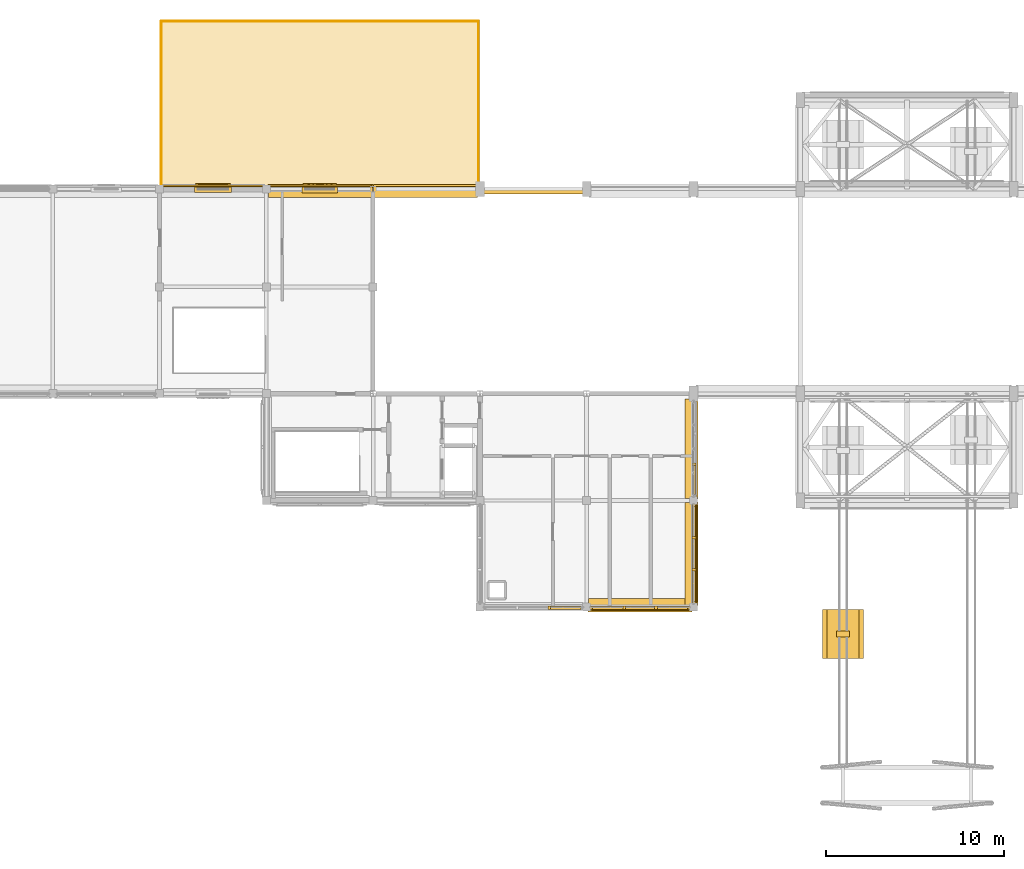
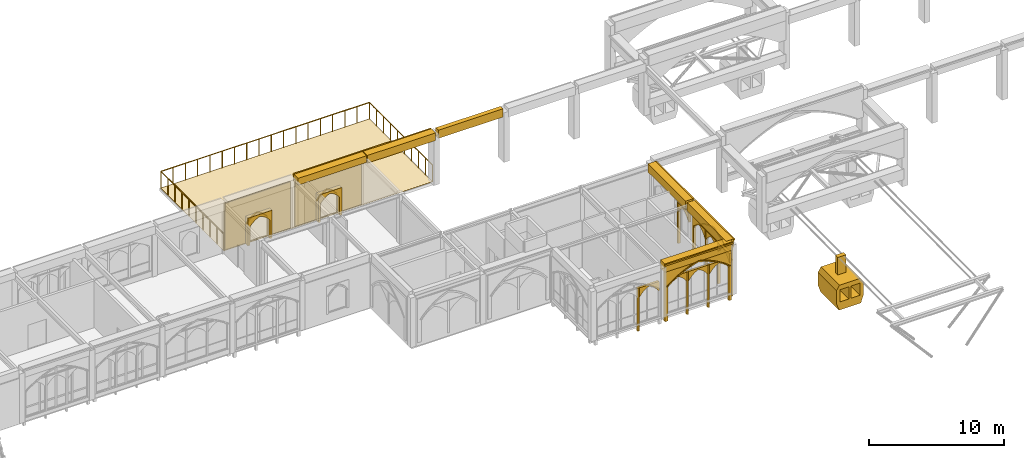
# One storey, part 53 of 59: 38 coverings, 3 railings.
"""IFC4 building model written with IfcOpenShell, lengths in metres."""

from ifc_helpers import new_model, si_unit, direction, frame, origin, origin_2d, place, context, subcontext, project, spatial, polyline, rectangle, circle, outline, extrude, material, type_object, element, save


model = new_model("IFC4")

# Units and contexts
model_context = context("Model", 3, precision=1e-05, world=origin(), true_north=direction((0.0, 1.0)))
body_context = subcontext(model_context, "Body", "Model", "MODEL_VIEW")
ifc_project = project(units=[si_unit("LENGTHUNIT", "METRE"), si_unit("AREAUNIT", "SQUARE_METRE"), si_unit("VOLUMEUNIT", "CUBIC_METRE"), si_unit("PLANEANGLEUNIT", "RADIAN"), si_unit("MASSUNIT", "GRAM", prefix="KILO")], contexts=[model_context])

# Site, building, storey
site_placement = place(None, origin())
site = spatial("IfcSite", under=ifc_project, at=site_placement, CompositionType="ELEMENT")
building_placement = place(site_placement, origin())
building = spatial("IfcBuilding", under=site, at=building_placement, Name="Cumevento Cable Car Station", CompositionType="ELEMENT")
storey_placement = place(building_placement, frame((0.0, 0.0, 18.0)))
storey = spatial("IfcBuildingStorey", under=building, at=storey_placement, Name="L05", CompositionType="ELEMENT", Elevation=18.0)

# Railings
ifc_material_1 = material(Name="Painted Galvanised Architectural Steel", Category="steel")
railing_type = type_object("IfcRailingType", Name="Terrace Guardrail GR-T155 1550", PredefinedType="GUARDRAIL", material=ifc_material_1)
railing_placement = place(storey_placement, frame((52.080078125, 65.919921875, 0.0)))
element("IfcRailing", 1, at=railing_placement, inside=storey, type_object=railing_type, Name="Panoramic Terrace Guardrail GR-T155 #4", PredefinedType="GUARDRAIL", context=body_context, shape_type="SweptSolid", body=[
    extrude(circle(Radius=0.02685546875, at=origin_2d()), frame((0.0, 0.0, 1.52294921875), z_axis=(1.0, 0.0, 0.0), x_axis=(0.0, 1.0, 0.0)), (0.0, 0.0, 1.0), 17.83984375),
    extrude(circle(Radius=0.02099609375, at=origin_2d()), origin(), (0.0, 0.0, 1.0), 1.49609375),
    extrude(circle(Radius=0.02099609375, at=origin_2d()), frame((1.04931640625, 0.0, 0.0)), (0.0, 0.0, 1.0), 1.49609375),
    extrude(circle(Radius=0.02099609375, at=origin_2d()), frame((2.098876953125, 0.0, 0.0)), (0.0, 0.0, 1.0), 1.49609375),
    extrude(circle(Radius=0.02099609375, at=origin_2d()), frame((3.148193359375, 0.0, 0.0)), (0.0, 0.0, 1.0), 1.49609375),
    extrude(circle(Radius=0.02099609375, at=origin_2d()), frame((4.197509765625, 0.0, 0.0)), (0.0, 0.0, 1.0), 1.49609375),
    extrude(circle(Radius=0.02099609375, at=origin_2d()), frame((5.2470703125, 0.0, 0.0)), (0.0, 0.0, 1.0), 1.49609375),
    extrude(circle(Radius=0.02099609375, at=origin_2d()), frame((6.29638671875, 0.0, 0.0)), (0.0, 0.0, 1.0), 1.49609375),
    extrude(circle(Radius=0.02099609375, at=origin_2d()), frame((7.345703125, 0.0, 0.0)), (0.0, 0.0, 1.0), 1.49609375),
    extrude(circle(Radius=0.02099609375, at=origin_2d()), frame((8.395263671875, 0.0, 0.0)), (0.0, 0.0, 1.0), 1.49609375),
    extrude(circle(Radius=0.02099609375, at=origin_2d()), frame((9.444580078125, 0.0, 0.0)), (0.0, 0.0, 1.0), 1.49609375),
    extrude(circle(Radius=0.02099609375, at=origin_2d()), frame((10.494140625, 0.0, 0.0)), (0.0, 0.0, 1.0), 1.49609375),
    extrude(circle(Radius=0.02099609375, at=origin_2d()), frame((11.54345703125, 0.0, 0.0)), (0.0, 0.0, 1.0), 1.49609375),
    extrude(circle(Radius=0.02099609375, at=origin_2d()), frame((12.5927734375, 0.0, 0.0)), (0.0, 0.0, 1.0), 1.49609375),
    extrude(circle(Radius=0.02099609375, at=origin_2d()), frame((13.642333984375, 0.0, 0.0)), (0.0, 0.0, 1.0), 1.49609375),
    extrude(circle(Radius=0.02099609375, at=origin_2d()), frame((14.691650390625, 0.0, 0.0)), (0.0, 0.0, 1.0), 1.49609375),
    extrude(circle(Radius=0.02099609375, at=origin_2d()), frame((15.740966796875, 0.0, 0.0)), (0.0, 0.0, 1.0), 1.49609375),
    extrude(circle(Radius=0.02099609375, at=origin_2d()), frame((16.79052734375, 0.0, 0.0)), (0.0, 0.0, 1.0), 1.49609375),
    extrude(circle(Radius=0.02099609375, at=origin_2d()), frame((17.83984375, 0.0, 0.0)), (0.0, 0.0, 1.0), 1.49609375),
])
for number, where, name in (
    (2, (69.919921875, 56.580078125, 0.0), "Panoramic Terrace Guardrail GR-T155 #5"),
    (3, (52.080078125, 56.580078125, 0.0), "Panoramic Terrace Guardrail GR-T155 #6"),
):
    element("IfcRailing", number, at=place(storey_placement, frame(where)), inside=storey, type_object=railing_type, Name=name, PredefinedType="GUARDRAIL", context=body_context, shape_type="SweptSolid", body=[
        extrude(circle(Radius=0.02685546875, at=origin_2d()), frame((0.0, 0.0, 1.52294921875), z_axis=(0.0, 1.0, 0.0), x_axis=(-1.0, 0.0, 0.0)), (0.0, 0.0, 1.0), 9.33984375),
        extrude(circle(Radius=0.02099609375, at=origin_2d()), origin(), (0.0, 0.0, 1.0), 1.49609375),
        extrude(circle(Radius=0.02099609375, at=origin_2d()), frame((0.0, 1.037841796875, 0.0)), (0.0, 0.0, 1.0), 1.49609375),
        extrude(circle(Radius=0.02099609375, at=origin_2d()), frame((0.0, 2.075439453125, 0.0)), (0.0, 0.0, 1.0), 1.49609375),
        extrude(circle(Radius=0.02099609375, at=origin_2d()), frame((0.0, 3.11328125, 0.0)), (0.0, 0.0, 1.0), 1.49609375),
        extrude(circle(Radius=0.02099609375, at=origin_2d()), frame((0.0, 4.151123046875, 0.0)), (0.0, 0.0, 1.0), 1.49609375),
        extrude(circle(Radius=0.02099609375, at=origin_2d()), frame((0.0, 5.188720703125, 0.0)), (0.0, 0.0, 1.0), 1.49609375),
        extrude(circle(Radius=0.02099609375, at=origin_2d()), frame((0.0, 6.2265625, 0.0)), (0.0, 0.0, 1.0), 1.49609375),
        extrude(circle(Radius=0.02099609375, at=origin_2d()), frame((0.0, 7.264404296875, 0.0)), (0.0, 0.0, 1.0), 1.49609375),
        extrude(circle(Radius=0.02099609375, at=origin_2d()), frame((0.0, 8.302001953125, 0.0)), (0.0, 0.0, 1.0), 1.49609375),
        extrude(circle(Radius=0.02099609375, at=origin_2d()), frame((0.0, 9.33984375, 0.0)), (0.0, 0.0, 1.0), 1.49609375),
    ])

# Coverings
ifc_material_2 = material(Name="Gnaisse Facoidal Stone Ashlar 85 MPa", Category="masonry")
covering_type = type_object("IfcCoveringType", Name="Gnaisse Ashlar Cladding CV-CL01", PredefinedType="CLADDING", material=ifc_material_2)
covering_1_placement = place(storey_placement, frame((79.0, 33.14990234375, 4.032958984375), z_axis=(0.0, 0.0, 1.0), x_axis=(-1.0, 0.0, 0.0)))
element("IfcCovering", 4, at=covering_1_placement, inside=storey, type_object=covering_type, Name="Gothic Stone Spandrel Stringcourse sc:0782", PredefinedType="CLADDING", context=body_context, shape_type="SweptSolid", body=[
    extrude(rectangle(XDim=5.7900390625, YDim=0.659912109375, at=origin_2d()), origin(), (0.0, 0.0, 1.0), 0.7470703125),
])
covering_2_placement = place(storey_placement, frame((79.0, 32.79248046875, 4.650146484375), z_axis=(0.0, 0.0, 1.0), x_axis=(-1.0, 0.0, 0.0)))
element("IfcCovering", 5, at=covering_2_placement, inside=storey, type_object=covering_type, Name="Gothic Cornice Dripstone Lip sc:0782", PredefinedType="CLADDING", context=body_context, shape_type="SweptSolid", body=[
    extrude(rectangle(XDim=5.830078125, YDim=0.114990234375, at=origin_2d()), origin(), (0.0, 0.0, 1.0), 0.1298828125),
])
covering_3_placement = place(storey_placement, frame((81.85009765625, 36.0, 4.032958984375), z_axis=(0.0, 0.0, 1.0), x_axis=(0.0, -1.0, 0.0)))
element("IfcCovering", 6, at=covering_3_placement, inside=storey, type_object=covering_type, Name="Gothic Stone Spandrel Stringcourse sc:0784", PredefinedType="CLADDING", context=body_context, shape_type="SweptSolid", body=[
    extrude(rectangle(XDim=5.7900390625, YDim=0.659912109375, at=origin_2d()), origin(), (0.0, 0.0, 1.0), 0.7470703125),
])
covering_4_placement = place(storey_placement, frame((82.20751953125, 36.0, 4.650146484375), z_axis=(0.0, 0.0, 1.0), x_axis=(0.0, -1.0, 0.0)))
element("IfcCovering", 7, at=covering_4_placement, inside=storey, type_object=covering_type, Name="Gothic Cornice Dripstone Lip sc:0784", PredefinedType="CLADDING", context=body_context, shape_type="SweptSolid", body=[
    extrude(rectangle(XDim=5.830078125, YDim=0.114990234375, at=origin_2d()), origin(), (0.0, 0.0, 1.0), 0.1298828125),
])
covering_5_placement = place(storey_placement, frame((81.85009765625, 41.89990234375, 4.032958984375), z_axis=(0.0, 0.0, 1.0), x_axis=(0.0, -1.0, 0.0)))
element("IfcCovering", 8, at=covering_5_placement, inside=storey, type_object=covering_type, Name="Gothic Stone Spandrel Stringcourse sc:0785", PredefinedType="CLADDING", context=body_context, shape_type="SweptSolid", body=[
    extrude(rectangle(XDim=5.590087890625, YDim=0.659912109375, at=origin_2d()), origin(), (0.0, 0.0, 1.0), 0.7470703125),
])
covering_6_placement = place(storey_placement, frame((82.20751953125, 41.89990234375, 4.650146484375), z_axis=(0.0, 0.0, 1.0), x_axis=(0.0, -1.0, 0.0)))
element("IfcCovering", 9, at=covering_6_placement, inside=storey, type_object=covering_type, Name="Gothic Cornice Dripstone Lip sc:0785", PredefinedType="CLADDING", context=body_context, shape_type="SweptSolid", body=[
    extrude(rectangle(XDim=5.6298828125, YDim=0.114990234375, at=origin_2d()), origin(), (0.0, 0.0, 1.0), 0.1298828125),
])
covering_7_placement = place(storey_placement, frame((61.0361328125, 56.35009765625, 4.174072265625), z_axis=(0.0, 0.0, 1.0), x_axis=(1.0, 0.0, 0.0)))
element("IfcCovering", 10, at=covering_7_placement, inside=storey, type_object=covering_type, Name="Gothic Stone Spandrel Stringcourse sc:0810", PredefinedType="CLADDING", context=body_context, shape_type="SweptSolid", body=[
    extrude(rectangle(XDim=5.862548828125, YDim=0.659912109375, at=origin_2d()), origin(), (0.0, 0.0, 1.0), 0.60595703125),
])
covering_8_placement = place(storey_placement, frame((61.0361328125, 56.70751953125, 4.650146484375), z_axis=(0.0, 0.0, 1.0), x_axis=(1.0, 0.0, 0.0)))
element("IfcCovering", 11, at=covering_8_placement, inside=storey, type_object=covering_type, Name="Gothic Cornice Dripstone Lip sc:0810", PredefinedType="CLADDING", context=body_context, shape_type="SweptSolid", body=[
    extrude(rectangle(XDim=5.902587890625, YDim=0.114990234375, at=origin_2d()), origin(), (0.0, 0.0, 1.0), 0.1298828125),
])
covering_9_placement = place(storey_placement, frame((66.951171875, 56.351318359375, 4.0859375), z_axis=(0.0, 0.0, 1.0), x_axis=(1.0, 0.0, 0.0)))
element("IfcCovering", 12, at=covering_9_placement, inside=storey, type_object=covering_type, Name="Gothic Stone Spandrel Stringcourse sc:0812", PredefinedType="CLADDING", context=body_context, shape_type="SweptSolid", body=[
    extrude(rectangle(XDim=5.83740234375, YDim=0.66259765625, at=origin_2d()), origin(), (0.0, 0.0, 1.0), 0.694091796875),
])
covering_10_placement = place(storey_placement, frame((66.951171875, 56.7099609375, 4.650146484375), z_axis=(0.0, 0.0, 1.0), x_axis=(1.0, 0.0, 0.0)))
element("IfcCovering", 13, at=covering_10_placement, inside=storey, type_object=covering_type, Name="Gothic Cornice Dripstone Lip sc:0812", PredefinedType="CLADDING", context=body_context, shape_type="SweptSolid", body=[
    extrude(rectangle(XDim=5.87744140625, YDim=0.114990234375, at=origin_2d()), origin(), (0.0, 0.0, 1.0), 0.1298828125),
])
covering_11_placement = place(storey_placement, frame((73.0, 56.409912109375, 4.032958984375), z_axis=(0.0, 0.0, 1.0), x_axis=(1.0, 0.0, 0.0)))
element("IfcCovering", 14, at=covering_11_placement, inside=storey, type_object=covering_type, Name="Gothic Stone Spandrel Stringcourse sc:0813", PredefinedType="CLADDING", context=body_context, shape_type="SweptSolid", body=[
    extrude(rectangle(XDim=5.56005859375, YDim=0.3798828125, at=origin_2d()), origin(), (0.0, 0.0, 1.0), 0.7470703125),
])
covering_12_placement = place(storey_placement, frame((75.77490234375, 33.0, -0.52001953125), z_axis=(0.0, 0.0, 1.0), x_axis=(-1.0, 0.0, 0.0)))
element("IfcCovering", 15, at=covering_12_placement, inside=storey, type_object=covering_type, Name="Gothic Bifora Stone Colonnette cw_ogival:0192 #1", PredefinedType="CLADDING", context=body_context, shape_type="SweptSolid", body=[
    extrude(outline(polyline([(1.80322265625, -0.02001953125), (1.953369140625, -0.02001953125), (1.953369140625, 3.87109375), (1.80322265625, 3.87109375), (1.80322265625, -0.02001953125)])), frame((0.0, 0.1279296875, 0.0), z_axis=(0.0, -1.0, 0.0), x_axis=(1.0, 0.0, 0.0)), (0.0, 0.0, 1.0), 0.205078125),
])
covering_13_placement = place(storey_placement, frame((75.64501953125, 33.0, 2.4970703125), z_axis=(0.0, 0.0, 1.0), x_axis=(-1.0, 0.0, 0.0)))
element("IfcCovering", 16, at=covering_13_placement, inside=storey, type_object=covering_type, Name="Gothic Ogival Pointed-Arch Stone Spandrel cw_ogival:0192:sub:0", PredefinedType="CLADDING", context=body_context, shape_type="SweptSolid", body=[
    extrude(outline(polyline([(-0.02001953125, 0.0), (-0.02001953125, 0.85400390625), (1.723388671875, 0.85400390625), (1.723388671875, 0.0), (1.663330078125, 0.0), (1.565673828125, 0.157958984375), (1.45068359375, 0.303955078125), (1.320068359375, 0.436279296875), (1.175537109375, 0.552978515625), (1.018798828125, 0.652587890625), (0.8515625, 0.73388671875), (0.6845703125, 0.652587890625), (0.52783203125, 0.552978515625), (0.38330078125, 0.436279296875), (0.252685546875, 0.303955078125), (0.1376953125, 0.157958984375), (0.0400390625, 0.0), (-0.02001953125, 0.0)])), frame((0.0, 0.1240234375, 0.0), z_axis=(0.0, -1.0, 0.0), x_axis=(1.0, 0.0, 0.0)), (0.0, 0.0, 1.0), 0.199951171875),
])
placement_1 = place(storey_placement, frame((81.77490234375, 33.0, -0.469970703125), z_axis=(0.0, 0.0, 1.0), x_axis=(-1.0, 0.0, 0.0)))
element("IfcCovering", 17, at=placement_1, inside=storey, type_object=covering_type, Name="Gothic Ogival Pointed-Arch Stone Spandrel cw_ogival:0193", PredefinedType="CLADDING", context=body_context, shape_type="SweptSolid", body=[
    extrude(outline(polyline([(-0.080078125, 0.0), (-0.080078125, 4.64306640625), (5.6298828125, 4.64306640625), (5.6298828125, 0.0), (5.389892578125, 0.0), (5.389892578125, 3.1650390625), (5.095703125, 3.383056640625), (4.7900390625, 3.58544921875), (4.474609375, 3.771728515625), (4.149658203125, 3.941162109375), (3.816162109375, 4.093505859375), (3.475341796875, 4.22802734375), (3.128173828125, 4.3447265625), (2.77490234375, 4.44287109375), (2.421875, 4.3447265625), (2.07470703125, 4.22802734375), (1.73388671875, 4.093505859375), (1.400390625, 3.941162109375), (1.075439453125, 3.771728515625), (0.760009765625, 3.58544921875), (0.454345703125, 3.383056640625), (0.159912109375, 3.1650390625), (0.159912109375, 0.0), (-0.080078125, 0.0)])), frame((0.0, 0.139892578125, 0.0), z_axis=(0.0, -1.0, 0.0), x_axis=(1.0, 0.0, 0.0)), (0.0, 0.0, 1.0), 0.219970703125),
])
covering_15_placement = place(storey_placement, frame((81.77490234375, 33.0, 2.695068359375), z_axis=(0.0, 0.0, 1.0), x_axis=(-1.0, 0.0, 0.0)))
element("IfcCovering", 18, at=covering_15_placement, inside=storey, type_object=covering_type, Name="Gothic Pointed Archivolt Hood Moulding cw_ogival:0193", PredefinedType="CLADDING", context=body_context, shape_type="SweptSolid", body=[
    extrude(outline(polyline([(0.159912109375, 0.0), (0.454345703125, 0.218017578125), (0.760009765625, 0.42041015625), (1.075439453125, 0.606689453125), (1.400390625, 0.776123046875), (1.73388671875, 0.928466796875), (2.07470703125, 1.06298828125), (2.421875, 1.1796875), (2.77490234375, 1.27783203125), (3.128173828125, 1.1796875), (3.475341796875, 1.06298828125), (3.816162109375, 0.928466796875), (4.149658203125, 0.776123046875), (4.474609375, 0.606689453125), (4.7900390625, 0.42041015625), (5.095703125, 0.218017578125), (5.389892578125, 0.0), (5.5, 0.0), (5.197265625, 0.24072265625), (4.881591796875, 0.464599609375), (4.55419921875, 0.670654296875), (4.2158203125, 0.8583984375), (3.86767578125, 1.02734375), (3.5107421875, 1.1767578125), (3.146240234375, 1.30615234375), (2.77490234375, 1.415283203125), (2.40380859375, 1.30615234375), (2.039306640625, 1.1767578125), (1.682373046875, 1.02734375), (1.334228515625, 0.8583984375), (0.995849609375, 0.670654296875), (0.66845703125, 0.464599609375), (0.352783203125, 0.24072265625), (0.050048828125, 0.0), (0.159912109375, 0.0)])), frame((0.0, 0.181884765625, 0.0), z_axis=(0.0, -1.0, 0.0), x_axis=(1.0, 0.0, 0.0)), (0.0, 0.0, 1.0), 0.06689453125),
])
element("IfcCovering", 19, at=placement_1, inside=storey, type_object=covering_type, Name="Gothic Bifora Stone Colonnette cw_ogival:0193 #1", PredefinedType="CLADDING", context=body_context, shape_type="SweptSolid", body=[
    extrude(outline(polyline([(1.80322265625, -0.02001953125), (1.953369140625, -0.02001953125), (1.953369140625, 3.82958984375), (1.80322265625, 3.82958984375), (1.80322265625, -0.02001953125)])), frame((0.0, 0.1279296875, 0.0), z_axis=(0.0, -1.0, 0.0), x_axis=(1.0, 0.0, 0.0)), (0.0, 0.0, 1.0), 0.205078125),
])
element("IfcCovering", 20, at=placement_1, inside=storey, type_object=covering_type, Name="Gothic Bifora Stone Colonnette cw_ogival:0193 #2", PredefinedType="CLADDING", context=body_context, shape_type="SweptSolid", body=[
    extrude(outline(polyline([(3.5966796875, -0.02001953125), (3.74658203125, -0.02001953125), (3.74658203125, 3.82958984375), (3.5966796875, 3.82958984375), (3.5966796875, -0.02001953125)])), frame((0.0, 0.1279296875, 0.0), z_axis=(0.0, -1.0, 0.0), x_axis=(1.0, 0.0, 0.0)), (0.0, 0.0, 1.0), 0.205078125),
])
for number, where, z_axis, x_axis, name in (
    (21, (81.64501953125, 33.0, 2.51513671875), (0.0, 0.0, 1.0), (-1.0, 0.0, 0.0), "Gothic Ogival Pointed-Arch Stone Spandrel cw_ogival:0193:sub:0"),
    (22, (79.8515625, 33.0, 2.51513671875), (0.0, 0.0, 1.0), (-1.0, 0.0, 0.0), "Gothic Ogival Pointed-Arch Stone Spandrel cw_ogival:0193:sub:1"),
    (23, (78.058349609375, 33.0, 2.51513671875), (0.0, 0.0, 1.0), (-1.0, 0.0, 0.0), "Gothic Ogival Pointed-Arch Stone Spandrel cw_ogival:0193:sub:2"),
):
    element("IfcCovering", number, at=place(storey_placement, frame(where, z_axis=z_axis, x_axis=x_axis)), inside=storey, type_object=covering_type, Name=name, PredefinedType="CLADDING", context=body_context, shape_type="SweptSolid", body=[
        extrude(outline(polyline([(-0.02001953125, 0.0), (-0.02001953125, 0.844482421875), (1.723388671875, 0.844482421875), (1.723388671875, 0.0), (1.663330078125, 0.0), (1.56494140625, 0.15625), (1.449462890625, 0.300537109375), (1.31884765625, 0.430908203125), (1.17431640625, 0.5458984375), (1.01806640625, 0.644287109375), (0.8515625, 0.724609375), (0.685302734375, 0.644287109375), (0.529052734375, 0.5458984375), (0.384521484375, 0.430908203125), (0.25390625, 0.300537109375), (0.138427734375, 0.15625), (0.0400390625, 0.0), (-0.02001953125, 0.0)])), frame((0.0, 0.1240234375, 0.0), z_axis=(0.0, -1.0, 0.0), x_axis=(1.0, 0.0, 0.0)), (0.0, 0.0, 1.0), 0.199951171875),
    ])
placement_2 = place(storey_placement, frame((82.0, 38.77490234375, -0.3701171875), z_axis=(0.0, 0.0, 1.0), x_axis=(0.0, -1.0, 0.0)))
element("IfcCovering", 24, at=placement_2, inside=storey, type_object=covering_type, Name="Gothic Ogival Pointed-Arch Stone Spandrel cw_ogival:0195", PredefinedType="CLADDING", context=body_context, shape_type="SweptSolid", body=[
    extrude(outline(polyline([(-0.080078125, 0.0), (-0.080078125, 4.54296875), (5.6298828125, 4.54296875), (5.6298828125, 0.0), (5.389892578125, 0.0), (5.389892578125, 3.10107421875), (5.093994140625, 3.313232421875), (4.787353515625, 3.51025390625), (4.47119140625, 3.691162109375), (4.14599609375, 3.855712890625), (3.81298828125, 4.003662109375), (3.472900390625, 4.13427734375), (3.126708984375, 4.24755859375), (2.77490234375, 4.343017578125), (2.42333984375, 4.24755859375), (2.0771484375, 4.13427734375), (1.737060546875, 4.003662109375), (1.404052734375, 3.855712890625), (1.078857421875, 3.691162109375), (0.7626953125, 3.51025390625), (0.4560546875, 3.313232421875), (0.159912109375, 3.10107421875), (0.159912109375, 0.0), (-0.080078125, 0.0)])), frame((0.0, 0.139892578125, 0.0), z_axis=(0.0, -1.0, 0.0), x_axis=(1.0, 0.0, 0.0)), (0.0, 0.0, 1.0), 0.219970703125),
])
covering_19_placement = place(storey_placement, frame((82.0, 38.77490234375, 2.731201171875), z_axis=(0.0, 0.0, 1.0), x_axis=(0.0, -1.0, 0.0)))
element("IfcCovering", 25, at=covering_19_placement, inside=storey, type_object=covering_type, Name="Gothic Pointed Archivolt Hood Moulding cw_ogival:0195", PredefinedType="CLADDING", context=body_context, shape_type="SweptSolid", body=[
    extrude(outline(polyline([(0.159912109375, 0.0), (0.4560546875, 0.212158203125), (0.7626953125, 0.4091796875), (1.078857421875, 0.590087890625), (1.404052734375, 0.754638671875), (1.737060546875, 0.902587890625), (2.0771484375, 1.033203125), (2.42333984375, 1.146484375), (2.77490234375, 1.241943359375), (3.126708984375, 1.146484375), (3.472900390625, 1.033203125), (3.81298828125, 0.902587890625), (4.14599609375, 0.754638671875), (4.47119140625, 0.590087890625), (4.787353515625, 0.4091796875), (5.093994140625, 0.212158203125), (5.389892578125, 0.0), (5.5, 0.0), (5.195556640625, 0.235107421875), (4.878662109375, 0.453369140625), (4.550537109375, 0.654296875), (4.212158203125, 0.837158203125), (3.864501953125, 1.00146484375), (3.50830078125, 1.14697265625), (3.144775390625, 1.273193359375), (2.77490234375, 1.37939453125), (2.4052734375, 1.273193359375), (2.041748046875, 1.14697265625), (1.685546875, 1.00146484375), (1.337890625, 0.837158203125), (0.99951171875, 0.654296875), (0.67138671875, 0.453369140625), (0.3544921875, 0.235107421875), (0.050048828125, 0.0), (0.159912109375, 0.0)])), frame((0.0, 0.181884765625, 0.0), z_axis=(0.0, -1.0, 0.0), x_axis=(1.0, 0.0, 0.0)), (0.0, 0.0, 1.0), 0.06689453125),
])
element("IfcCovering", 26, at=placement_2, inside=storey, type_object=covering_type, Name="Gothic Bifora Stone Colonnette cw_ogival:0195 #1", PredefinedType="CLADDING", context=body_context, shape_type="SweptSolid", body=[
    extrude(outline(polyline([(1.80322265625, -0.02001953125), (1.953369140625, -0.02001953125), (1.953369140625, 3.746826171875), (1.80322265625, 3.746826171875), (1.80322265625, -0.02001953125)])), frame((0.0, 0.1279296875, 0.0), z_axis=(0.0, -1.0, 0.0), x_axis=(1.0, 0.0, 0.0)), (0.0, 0.0, 1.0), 0.205078125),
])
element("IfcCovering", 27, at=placement_2, inside=storey, type_object=covering_type, Name="Gothic Bifora Stone Colonnette cw_ogival:0195 #2", PredefinedType="CLADDING", context=body_context, shape_type="SweptSolid", body=[
    extrude(outline(polyline([(3.5966796875, -0.02001953125), (3.74658203125, -0.02001953125), (3.74658203125, 3.746826171875), (3.5966796875, 3.746826171875), (3.5966796875, -0.02001953125)])), frame((0.0, 0.1279296875, 0.0), z_axis=(0.0, -1.0, 0.0), x_axis=(1.0, 0.0, 0.0)), (0.0, 0.0, 1.0), 0.205078125),
])
for number, where, z_axis, x_axis, name in (
    (28, (82.0, 38.64501953125, 2.551025390625), (0.0, 0.0, 1.0), (0.0, -1.0, 0.0), "Gothic Ogival Pointed-Arch Stone Spandrel cw_ogival:0195:sub:0"),
    (29, (82.0, 36.8515625, 2.551025390625), (0.0, 0.0, 1.0), (0.0, -1.0, 0.0), "Gothic Ogival Pointed-Arch Stone Spandrel cw_ogival:0195:sub:1"),
    (30, (82.0, 35.058349609375, 2.551025390625), (0.0, 0.0, 1.0), (0.0, -1.0, 0.0), "Gothic Ogival Pointed-Arch Stone Spandrel cw_ogival:0195:sub:2"),
):
    element("IfcCovering", number, at=place(storey_placement, frame(where, z_axis=z_axis, x_axis=x_axis)), inside=storey, type_object=covering_type, Name=name, PredefinedType="CLADDING", context=body_context, shape_type="SweptSolid", body=[
        extrude(outline(polyline([(-0.02001953125, 0.0), (-0.02001953125, 0.82568359375), (1.723388671875, 0.82568359375), (1.723388671875, 0.0), (1.663330078125, 0.0), (1.563232421875, 0.152587890625), (1.447021484375, 0.293212890625), (1.316162109375, 0.42041015625), (1.172119140625, 0.5322265625), (1.0166015625, 0.6279296875), (0.8515625, 0.705810546875), (0.686767578125, 0.6279296875), (0.53125, 0.5322265625), (0.38720703125, 0.42041015625), (0.25634765625, 0.293212890625), (0.14013671875, 0.152587890625), (0.0400390625, 0.0), (-0.02001953125, 0.0)])), frame((0.0, 0.1240234375, 0.0), z_axis=(0.0, -1.0, 0.0), x_axis=(1.0, 0.0, 0.0)), (0.0, 0.0, 1.0), 0.199951171875),
    ])
covering_22_placement = place(storey_placement, frame((82.0, 44.574951171875, -0.320068359375), z_axis=(0.0, 0.0, 1.0), x_axis=(0.0, -1.0, 0.0)))
element("IfcCovering", 31, at=covering_22_placement, inside=storey, type_object=covering_type, Name="Gothic Bifora Stone Colonnette cw_ogival:0196 #2", PredefinedType="CLADDING", context=body_context, shape_type="SweptSolid", body=[
    extrude(outline(polyline([(3.46337890625, -0.02001953125), (3.61328125, -0.02001953125), (3.61328125, 3.70556640625), (3.46337890625, 3.70556640625), (3.46337890625, -0.02001953125)])), frame((0.0, 0.1279296875, 0.0), z_axis=(0.0, -1.0, 0.0), x_axis=(1.0, 0.0, 0.0)), (0.0, 0.0, 1.0), 0.205078125),
])
covering_23_placement = place(storey_placement, frame((82.0, 40.99169921875, 2.569091796875), z_axis=(0.0, 0.0, 1.0), x_axis=(0.0, -1.0, 0.0)))
element("IfcCovering", 32, at=covering_23_placement, inside=storey, type_object=covering_type, Name="Gothic Ogival Pointed-Arch Stone Spandrel cw_ogival:0196:sub:2", PredefinedType="CLADDING", context=body_context, shape_type="SweptSolid", body=[
    extrude(outline(polyline([(-0.02001953125, 0.0), (-0.02001953125, 0.81640625), (1.65673828125, 0.81640625), (1.65673828125, 0.0), (1.5966796875, 0.0), (1.50244140625, 0.150146484375), (1.391845703125, 0.288818359375), (1.2666015625, 0.4140625), (1.1279296875, 0.52490234375), (0.97802734375, 0.619384765625), (0.818359375, 0.6962890625), (0.65869140625, 0.619384765625), (0.5087890625, 0.52490234375), (0.3701171875, 0.4140625), (0.244873046875, 0.288818359375), (0.13427734375, 0.150146484375), (0.0400390625, 0.0), (-0.02001953125, 0.0)])), frame((0.0, 0.1240234375, 0.0), z_axis=(0.0, -1.0, 0.0), x_axis=(1.0, 0.0, 0.0)), (0.0, 0.0, 1.0), 0.199951171875),
])
covering_24_placement = place(storey_placement, frame((52.22509765625, 56.5, 0.0), z_axis=(0.0, 0.0, 1.0), x_axis=(1.0, 0.0, 0.0)))
element("IfcCovering", 33, at=covering_24_placement, inside=storey, type_object=covering_type, Name="Exterior Gnaisse Stone Wall Ashlar #308", PredefinedType="CLADDING", context=body_context, shape_type="SweptSolid", body=[
    extrude(outline(polyline([(-0.0400390625, -0.02001953125), (5.590087890625, -0.02001953125), (5.590087890625, 4.214111328125), (-0.0400390625, 4.214111328125), (-0.0400390625, -0.02001953125)]), holes=[polyline([(1.925048828125, 0.02001953125), (3.625, 0.02001953125), (3.625, 2.22998046875), (1.925048828125, 2.22998046875), (1.925048828125, 0.02001953125)])]), frame((0.0, 0.215087890625, 0.0), z_axis=(0.0, -1.0, 0.0), x_axis=(1.0, 0.0, 0.0)), (0.0, 0.0, 1.0), 0.0849609375),
])
covering_25_placement = place(storey_placement, frame((54.0, 56.5, -0.050048828125), z_axis=(0.0, 0.0, 1.0), x_axis=(1.0, 0.0, 0.0)))
element("IfcCovering", 34, at=covering_25_placement, inside=storey, type_object=covering_type, Name="Gothic Ogival Pointed-Arch Stone Spandrel op_ogival:0308:1", PredefinedType="CLADDING", context=body_context, shape_type="SweptSolid", body=[
    extrude(outline(polyline([(-0.0400390625, 0.0), (-0.0400390625, 2.510009765625), (2.0400390625, 2.510009765625), (2.0400390625, 0.0), (1.860107421875, 0.0), (1.860107421875, 1.662841796875), (1.764404296875, 1.788330078125), (1.658203125, 1.9052734375), (1.542236328125, 2.012451171875), (1.417724609375, 2.109130859375), (1.284912109375, 2.19482421875), (1.1455078125, 2.2685546875), (1.0, 2.330078125), (0.8544921875, 2.2685546875), (0.715087890625, 2.19482421875), (0.582275390625, 2.109130859375), (0.457763671875, 2.012451171875), (0.341796875, 1.9052734375), (0.235595703125, 1.788330078125), (0.139892578125, 1.662841796875), (0.139892578125, 0.0), (-0.0400390625, 0.0)])), frame((0.0, 0.2529296875, 0.0), z_axis=(0.0, -1.0, 0.0), x_axis=(1.0, 0.0, 0.0)), (0.0, 0.0, 1.0), 0.4599609375),
])
covering_26_placement = place(storey_placement, frame((54.0, 56.5, 1.61279296875), z_axis=(0.0, 0.0, 1.0), x_axis=(1.0, 0.0, 0.0)))
element("IfcCovering", 35, at=covering_26_placement, inside=storey, type_object=covering_type, Name="Gothic Pointed Archivolt Hood Moulding op_ogival:0308:1", PredefinedType="CLADDING", context=body_context, shape_type="SweptSolid", body=[
    extrude(outline(polyline([(0.139892578125, 0.0), (0.235595703125, 0.12548828125), (0.341796875, 0.242431640625), (0.457763671875, 0.349609375), (0.582275390625, 0.4462890625), (0.715087890625, 0.531982421875), (0.8544921875, 0.605712890625), (1.0, 0.667236328125), (1.1455078125, 0.605712890625), (1.284912109375, 0.531982421875), (1.417724609375, 0.4462890625), (1.542236328125, 0.349609375), (1.658203125, 0.242431640625), (1.764404296875, 0.12548828125), (1.860107421875, 0.0), (1.958984375, 0.0), (1.855712890625, 0.14794921875), (1.739501953125, 0.2861328125), (1.611083984375, 0.4130859375), (1.471923828125, 0.528076171875), (1.32275390625, 0.6298828125), (1.1650390625, 0.7177734375), (1.0, 0.791015625), (0.8349609375, 0.7177734375), (0.67724609375, 0.6298828125), (0.528076171875, 0.528076171875), (0.388916015625, 0.4130859375), (0.260498046875, 0.2861328125), (0.144287109375, 0.14794921875), (0.041015625, 0.0), (0.139892578125, 0.0)])), frame((0.0, 0.294921875, 0.0), z_axis=(0.0, -1.0, 0.0), x_axis=(1.0, 0.0, 0.0)), (0.0, 0.0, 1.0), 0.06689453125),
])
covering_27_placement = place(storey_placement, frame((58.22509765625, 56.5, 0.0), z_axis=(0.0, 0.0, 1.0), x_axis=(1.0, 0.0, 0.0)))
element("IfcCovering", 36, at=covering_27_placement, inside=storey, type_object=covering_type, Name="Exterior Gnaisse Stone Wall Ashlar #309", PredefinedType="CLADDING", context=body_context, shape_type="SweptSolid", body=[
    extrude(outline(polyline([(-0.0400390625, -0.02001953125), (5.66259765625, -0.02001953125), (5.66259765625, 4.25390625), (-0.0400390625, 4.25390625), (-0.0400390625, -0.02001953125)]), holes=[polyline([(1.965087890625, 0.02001953125), (3.5849609375, 0.02001953125), (3.5849609375, 2.2099609375), (1.965087890625, 2.2099609375), (1.965087890625, 0.02001953125)])]), frame((0.0, 0.222412109375, 0.0), z_axis=(0.0, -1.0, 0.0), x_axis=(1.0, 0.0, 0.0)), (0.0, 0.0, 1.0), 0.0849609375),
])
covering_28_placement = place(storey_placement, frame((60.0400390625, 56.5, -0.050048828125), z_axis=(0.0, 0.0, 1.0), x_axis=(1.0, 0.0, 0.0)))
element("IfcCovering", 37, at=covering_28_placement, inside=storey, type_object=covering_type, Name="Gothic Ogival Pointed-Arch Stone Spandrel op_ogival:0309:1", PredefinedType="CLADDING", context=body_context, shape_type="SweptSolid", body=[
    extrude(outline(polyline([(-0.0400390625, 0.0), (-0.0400390625, 2.489990234375), (1.9599609375, 2.489990234375), (1.9599609375, 0.0), (1.780029296875, 0.0), (1.780029296875, 1.6484375), (1.6904296875, 1.7724609375), (1.59033203125, 1.88818359375), (1.48046875, 1.994384765625), (1.361328125, 2.090576171875), (1.234375, 2.175537109375), (1.10009765625, 2.2490234375), (0.9599609375, 2.31005859375), (0.81982421875, 2.2490234375), (0.685546875, 2.175537109375), (0.55859375, 2.090576171875), (0.439453125, 1.994384765625), (0.32958984375, 1.88818359375), (0.2294921875, 1.7724609375), (0.139892578125, 1.6484375), (0.139892578125, 0.0), (-0.0400390625, 0.0)])), frame((0.0, 0.260498046875, 0.0), z_axis=(0.0, -1.0, 0.0), x_axis=(1.0, 0.0, 0.0)), (0.0, 0.0, 1.0), 0.47509765625),
])
covering_29_placement = place(storey_placement, frame((60.0400390625, 56.5, 1.598388671875), z_axis=(0.0, 0.0, 1.0), x_axis=(1.0, 0.0, 0.0)))
element("IfcCovering", 38, at=covering_29_placement, inside=storey, type_object=covering_type, Name="Gothic Pointed Archivolt Hood Moulding op_ogival:0309:1", PredefinedType="CLADDING", context=body_context, shape_type="SweptSolid", body=[
    extrude(outline(polyline([(0.139892578125, 0.0), (0.2294921875, 0.1240234375), (0.32958984375, 0.23974609375), (0.439453125, 0.345947265625), (0.55859375, 0.442138671875), (0.685546875, 0.527099609375), (0.81982421875, 0.6005859375), (0.9599609375, 0.66162109375), (1.10009765625, 0.6005859375), (1.234375, 0.527099609375), (1.361328125, 0.442138671875), (1.48046875, 0.345947265625), (1.59033203125, 0.23974609375), (1.6904296875, 0.1240234375), (1.780029296875, 0.0), (1.87890625, 0.0), (1.781982421875, 0.146484375), (1.671630859375, 0.283447265625), (1.54931640625, 0.409423828125), (1.415771484375, 0.523681640625), (1.272216796875, 0.624755859375), (1.119873046875, 0.71240234375), (0.9599609375, 0.785400390625), (0.800048828125, 0.71240234375), (0.647705078125, 0.624755859375), (0.504150390625, 0.523681640625), (0.37060546875, 0.409423828125), (0.248291015625, 0.283447265625), (0.137939453125, 0.146484375), (0.041015625, 0.0), (0.139892578125, 0.0)])), frame((0.0, 0.302490234375, 0.0), z_axis=(0.0, -1.0, 0.0), x_axis=(1.0, 0.0, 0.0)), (0.0, 0.0, 1.0), 0.06689453125),
])
covering_30_placement = place(storey_placement, frame((90.39990234375, 31.5, -0.259765625), z_axis=(0.0, 0.0, 1.0), x_axis=(1.0, 0.0, 0.0)))
element("IfcCovering", 39, at=covering_30_placement, inside=storey, type_object=covering_type, Name="Gondola Detachable Grip & Suspension Arm CAB_MID_SPAN_OUT", PredefinedType="CLADDING", context=body_context, shape_type="SweptSolid", body=[
    extrude(rectangle(XDim=0.719970703125, YDim=0.340087890625, at=origin_2d()), origin(), (0.0, 0.0, 1.0), 1.679931640625),
])
covering_31_placement = place(storey_placement, frame((89.25, 31.5, -2.419921875), z_axis=(0.0, 0.0, 1.0), x_axis=(1.0, 0.0, 0.0)))
element("IfcCovering", 40, at=covering_31_placement, inside=storey, type_object=covering_type, Name="Panoramic Aerial Gondola Cabin Body CAB_MID_SPAN_OUT", PredefinedType="CLADDING", context=body_context, shape_type="SweptSolid", body=[
    extrude(outline(polyline([(0.219970703125, 0.0), (2.080078125, 0.0), (2.300048828125, 0.64990234375), (2.300048828125, 1.85009765625), (2.050048828125, 2.25), (0.25, 2.25), (0.0, 1.85009765625), (0.0, 0.64990234375), (0.219970703125, 0.0)]), holes=[polyline([(0.280029296875, 0.719970703125), (1.06005859375, 0.719970703125), (1.06005859375, 1.820068359375), (0.280029296875, 1.820068359375), (0.280029296875, 0.719970703125)]), polyline([(1.239990234375, 0.719970703125), (2.02001953125, 0.719970703125), (2.02001953125, 1.820068359375), (1.239990234375, 1.820068359375), (1.239990234375, 0.719970703125)])]), frame((0.0, 1.375, 0.0), z_axis=(0.0, -1.0, 0.0), x_axis=(1.0, 0.0, 0.0)), (0.0, 0.0, 1.0), 2.75),
])
covering_32_placement = place(storey_placement, frame((0.0, 0.0, -0.0048828125)))
element("IfcCovering", 41, at=covering_32_placement, inside=storey, type_object=covering_type, Name="Gnaisse Stone Terrace Parterre Paving #2.1", PredefinedType="CLADDING", context=body_context, shape_type="SweptSolid", body=[
    extrude(outline(polyline([(52.06005859375, 65.93994140625), (69.93994140625, 65.93994140625), (69.93994140625, 56.56005859375), (52.06005859375, 56.56005859375), (52.06005859375, 65.93994140625)])), origin(), (0.0, 0.0, 1.0), 0.02294921875),
])

save(model, "model.ifc")
